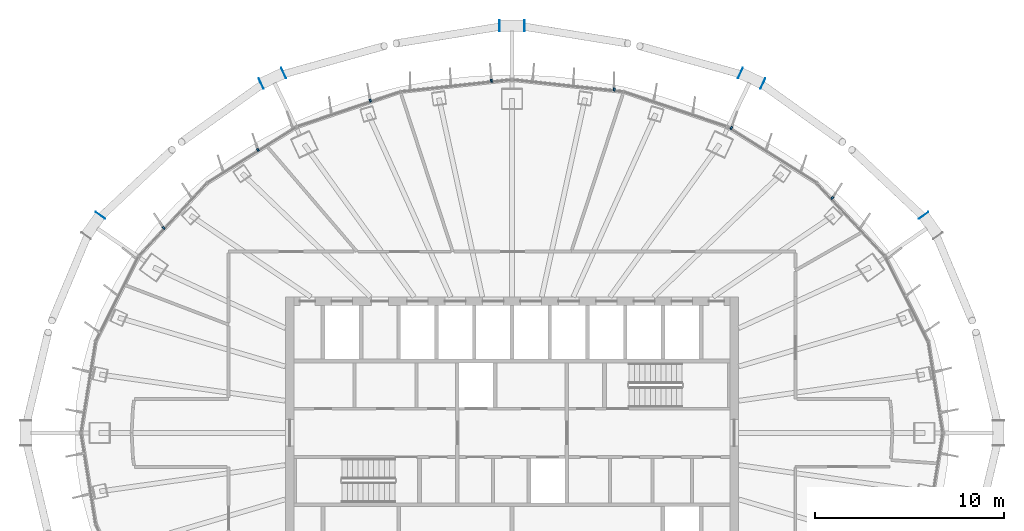
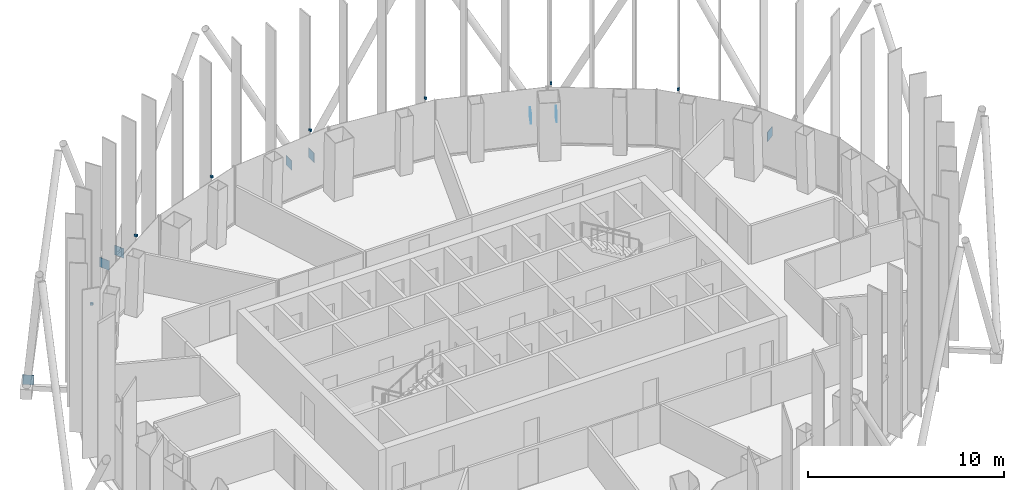
# One storey, part 13 of 17: 15 discrete accessories.
"""IFC4 building model written with IfcOpenShell, lengths in metres."""

from ifc_helpers import new_model, si_unit, direction, frame, origin, origin_2d, place, context, subcontext, project, spatial, rectangle, extrude, material, layer, layer_set, type_object, element, save


model = new_model("IFC4")

# Units and contexts
model_context = context("Model", 3, precision=1e-05, world=origin(), true_north=direction((0.0, 1.0)))
body_context = subcontext(model_context, "Body", "Model", "MODEL_VIEW")
ifc_project = project(units=[si_unit("LENGTHUNIT", "METRE"), si_unit("AREAUNIT", "SQUARE_METRE"), si_unit("VOLUMEUNIT", "CUBIC_METRE"), si_unit("PLANEANGLEUNIT", "RADIAN"), si_unit("MASSUNIT", "GRAM", prefix="KILO")], contexts=[model_context])

# Site, building, storey
site_placement = place(None, origin())
site = spatial("IfcSite", under=ifc_project, at=site_placement, CompositionType="ELEMENT")
building_placement = place(site_placement, origin())
building = spatial("IfcBuilding", under=site, at=building_placement, Name="Siaravel Broadcast Tower", CompositionType="ELEMENT")
storey_placement = place(building_placement, frame((0.0, 0.0, 190.39990234375)))
storey = spatial("IfcBuildingStorey", under=building, at=storey_placement, Name="L46", CompositionType="ELEMENT", Elevation=190.39990234375)

# Discrete accessories
ifc_material_1 = material(Name="Stainless steel 316", Category="steel")
discrete_accessory_type_1 = type_object("IfcDiscreteAccessoryType", Name="Stainless steel fin bracket", PredefinedType="USERDEFINED", material=ifc_material_1)
for number, where, z_axis, x_axis, name in (
    (1, (16.95654296875, 12.436767578125, 3.68017578125), (0.0, 0.0, 1.0), (0.729805608, 0.683654718, 0.0), "Fin bracket L46-07"),
    (2, (11.611328125, 16.1416015625, 3.68017578125), (0.0, 0.0, 1.0), (0.532149452, 0.846650436, 0.0), "Fin bracket L46-10"),
    (3, (5.406982421875, 18.180419921875, 3.68017578125), (0.0, 0.0, 1.0), (0.107216783, 0.994235667, 0.0), "Fin bracket L46-13"),
    (4, (-1.08740234375, 18.646240234375, 3.68017578125), (0.0, 0.0, 1.0), (-0.107216783, 0.994235667, 0.0), "Fin bracket L46-16"),
    (5, (-7.502685546875, 17.58740234375, 3.68017578125), (0.0, 0.0, 1.0), (-0.321300635, 0.946977245, 0.0), "Fin bracket L46-19"),
    (6, (-13.450439453125, 14.985595703125, 3.68017578125), (0.0, 0.0, 1.0), (-0.532149452, 0.846650436, 0.0), "Fin bracket L46-22"),
    (7, (-18.441650390625, 10.851318359375, 3.68017578125), (0.0, 0.0, 1.0), (-0.729805608, 0.683654718, 0.0), "Fin bracket L46-25"),
):
    element("IfcDiscreteAccessory", number, at=place(storey_placement, frame(where, z_axis=z_axis, x_axis=x_axis)), inside=storey, type_object=discrete_accessory_type_1, Name=name, ObjectType="BRACKET", PredefinedType="USERDEFINED", context=body_context, shape_type="SweptSolid", body=[
        extrude(rectangle(XDim=0.159912109375, YDim=0.10009765625, at=origin_2d()), origin(), (0.0, 0.0, 1.0), 0.139892578125),
    ])
ifc_material_2 = material(Name="Steel S355", Category="steel")
ifc_layer = layer(ifc_material_2, 0.02001953125)
ifc_layer_set = layer_set([ifc_layer], Name="Steel S355")
discrete_accessory_type_2 = type_object("IfcDiscreteAccessoryType", Name="Steel end plate 20 mm", PredefinedType="USERDEFINED", material=ifc_layer_set)
for number, where, z_axis, x_axis, name in (
    (8, (21.79052734375, 11.513671875, -0.5), (0.0, 0.0, 1.0), (-0.576119939, 0.817365167, 0.0), "End plate R19 station 06A"),
    (9, (12.090087890625, 19.04931640625, -0.5), (0.0, 0.0, 1.0), (-0.904007202, 0.427517227, 0.0), "End plate R19 station 12A"),
    (10, (13.277587890625, 18.487548828125, -0.5), (0.0, 0.0, 1.0), (-0.904007202, 0.427517227, 0.0), "End plate R19 station 12B"),
    (11, (-0.65673828125, 21.557861328125, -0.5), (0.0, 0.0, 1.0), (-1.0, 0.0, 0.0), "End plate R19 station 18A"),
    (12, (0.65673828125, 21.557861328125, -0.5), (0.0, 0.0, 1.0), (-1.0, 0.0, 0.0), "End plate R19 station 18B"),
    (13, (-13.277587890625, 18.487548828125, -0.5), (0.0, 0.0, 1.0), (-0.904007202, -0.427517227, 0.0), "End plate R19 station 24A"),
    (14, (-12.090087890625, 19.04931640625, -0.5), (0.0, 0.0, 1.0), (-0.904007202, -0.427517227, 0.0), "End plate R19 station 24B"),
    (15, (-21.79052734375, 11.513671875, -0.5), (0.0, 0.0, 1.0), (-0.576119939, -0.817365167, 0.0), "End plate R19 station 30B"),
):
    element("IfcDiscreteAccessory", number, at=place(storey_placement, frame(where, z_axis=z_axis, x_axis=x_axis)), inside=storey, type_object=discrete_accessory_type_2, Name=name, ObjectType="END PLATE", PredefinedType="USERDEFINED", context=body_context, shape_type="SweptSolid", body=[
        extrude(rectangle(XDim=0.02001953125, YDim=0.60009765625, at=origin_2d()), origin(), (0.0, 0.0, 1.0), 0.60009765625),
    ])

save(model, "model.ifc")
